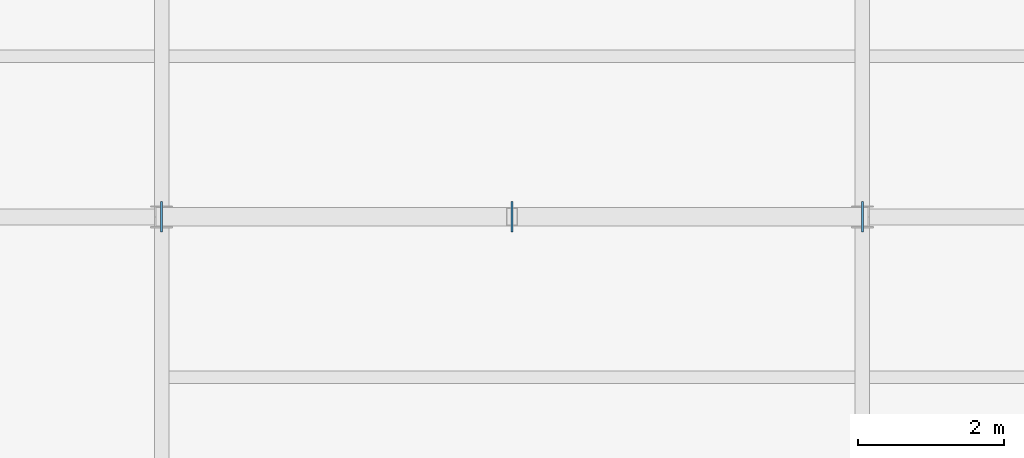
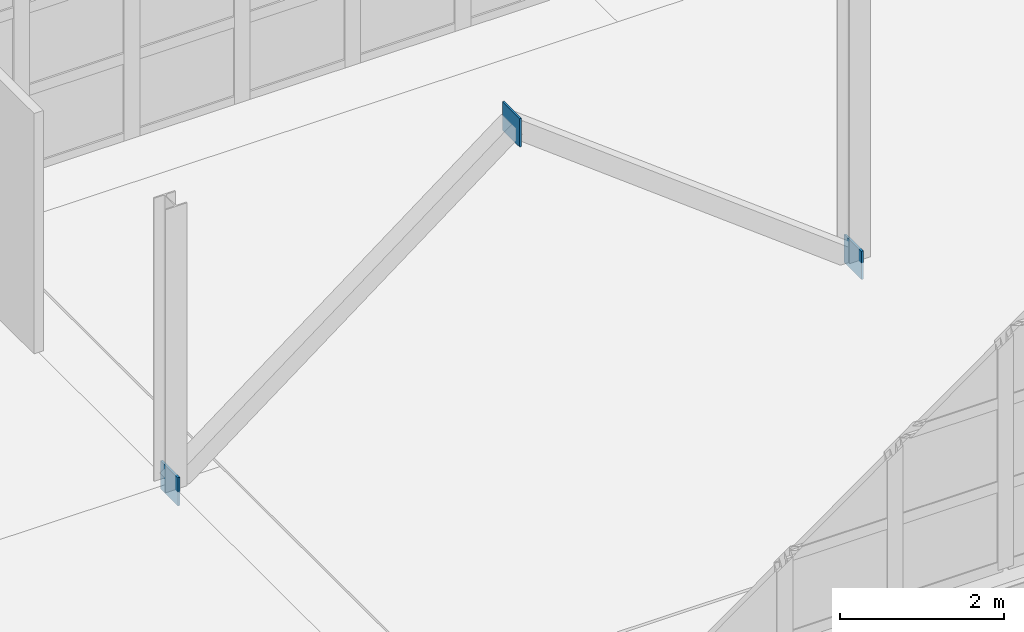
# One storey, part 67 of 82: 3 plates.
"""IFC4 building model written with IfcOpenShell, lengths in metres."""

from ifc_helpers import new_model, si_unit, direction, frame, origin, origin_2d, place, context, subcontext, project, spatial, rectangle, extrude, material, layer, layer_set, type_object, element, save


model = new_model("IFC4")

# Units and contexts
model_context = context("Model", 3, precision=1e-05, world=origin(), true_north=direction((0.0, 1.0)))
body_context = subcontext(model_context, "Body", "Model", "MODEL_VIEW")
ifc_project = project(units=[si_unit("LENGTHUNIT", "METRE"), si_unit("AREAUNIT", "SQUARE_METRE"), si_unit("VOLUMEUNIT", "CUBIC_METRE"), si_unit("PLANEANGLEUNIT", "RADIAN"), si_unit("MASSUNIT", "GRAM", prefix="KILO")], contexts=[model_context])

# Site, building, storey
site_placement = place(None, origin())
site = spatial("IfcSite", under=ifc_project, at=site_placement, CompositionType="ELEMENT")
building_placement = place(site_placement, origin())
building = spatial("IfcBuilding", under=site, at=building_placement, Name="Zarnetskaya Central Station", CompositionType="ELEMENT")
storey_placement = place(building_placement, frame((0.0, 0.0, 10.199951171875)))
storey = spatial("IfcBuildingStorey", under=building, at=storey_placement, Name="L02", CompositionType="ELEMENT", Elevation=10.199951171875)

# Plates
ifc_material = material(Name="Steel S355", Category="steel")
ifc_layer = layer(ifc_material, 0.028076171875, Name="Steel S355", Category="steel")
ifc_layer_set = layer_set([ifc_layer], Name="Steel S355")
plate_type = type_object("IfcPlateType", Name="ND-GUSSET-28", PredefinedType="USERDEFINED", material=ifc_layer_set)
for number, where, z_axis, x_axis, name in (
    (1, (134.39990234375, 6.60009765625, -0.2099609375), (0.0, 0.0, 1.0), (1.0, 0.0, 0.0), "Structural member end gusset plate 143"),
    (2, (139.199951171875, 6.60009765625, 3.440185546875), (0.0, 0.0, 1.0), (1.0, 0.0, 0.0), "Structural member end gusset plate 144"),
    (3, (144.0, 6.60009765625, -0.2099609375), (0.0, 0.0, 1.0), (1.0, 0.0, 0.0), "Structural member end gusset plate 145"),
):
    element("IfcPlate", number, at=place(storey_placement, frame(where, z_axis=z_axis, x_axis=x_axis)), inside=storey, type_object=plate_type, Name=name, ObjectType="GUSSET PLATE", PredefinedType="USERDEFINED", context=body_context, shape_type="SweptSolid", body=[
        extrude(rectangle(XDim=0.028076171875, YDim=0.419921875, at=origin_2d()), origin(), (0.0, 0.0, 1.0), 0.419921875),
    ])

save(model, "model.ifc")
